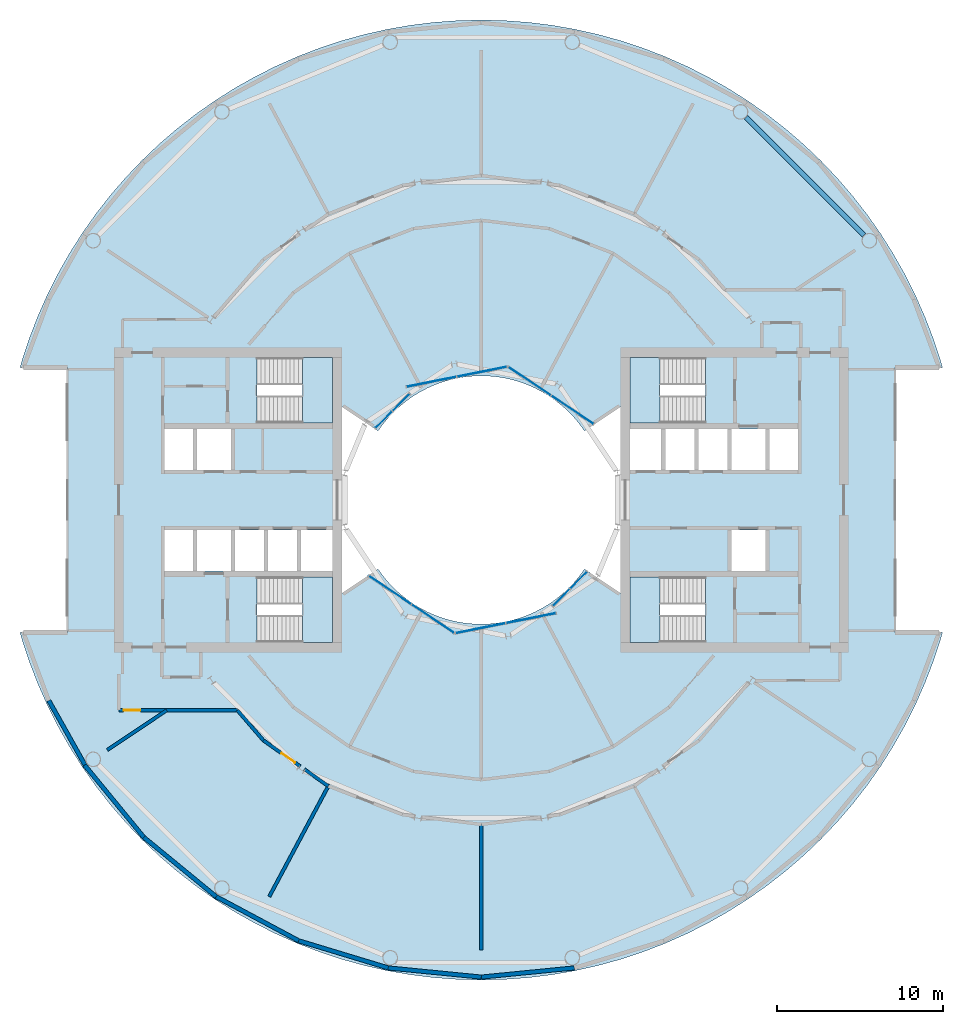
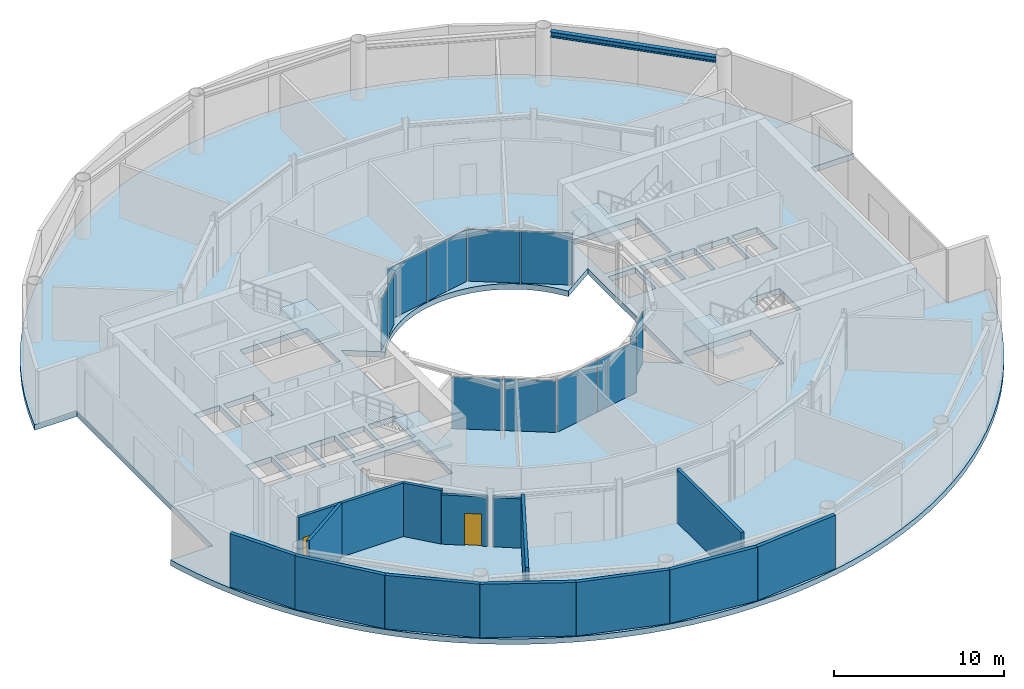
# One storey, part 10 of 18: 14 walls, 12 plates, 5 slabs, 2 doors, 1 beam, 2 openings, 10 elements without a shape of their own.
"""IFC4 building model written with IfcOpenShell, lengths in metres."""

from ifc_helpers import new_model, si_unit, direction, frame, frame_2d, origin, origin_2d, place, context, subcontext, project, spatial, polyline, rectangle, i_section, outline, extrude, material, layer, layer_set, material_profile, profile_set, type_object, element, fill, aggregate, save


model = new_model("IFC4")

# Units and contexts
model_context = context("Model", 3, precision=1e-05, world=origin(), true_north=direction((0.0, 1.0)))
body_context = subcontext(model_context, "Body", "Model", "MODEL_VIEW")
ifc_project = project(units=[si_unit("LENGTHUNIT", "METRE"), si_unit("AREAUNIT", "SQUARE_METRE"), si_unit("VOLUMEUNIT", "CUBIC_METRE"), si_unit("PLANEANGLEUNIT", "RADIAN"), si_unit("MASSUNIT", "GRAM", prefix="KILO")], contexts=[model_context])

# Site, building, storey
site_placement = place(None, origin())
site = spatial("IfcSite", under=ifc_project, at=site_placement, CompositionType="ELEMENT")
building_placement = place(site_placement, origin())
building = spatial("IfcBuilding", under=site, at=building_placement, Name="Maasbend Ring Residences", CompositionType="ELEMENT")
storey_placement = place(building_placement, frame((0.0, 0.0, 103.25)))
storey = spatial("IfcBuildingStorey", under=building, at=storey_placement, Name="L29", CompositionType="ELEMENT", Elevation=103.25)

# Beam
ifc_material_1 = material(Name="Steel S355J2", Category="steel")
ifc_material_profile = material_profile(ifc_material_1, i_section(OverallWidth=0.300048828125, OverallDepth=0.39990234375, WebThickness=0.013427734375, FlangeThickness=0.02392578125, FilletRadius=0.027099609375, at=origin_2d()), Name="HEB 400")
ifc_profile_set = profile_set([ifc_material_profile], Name="Steel S355J2")
beam_type = type_object("IfcBeamType", Name="Spandrel ring beam HEB 400", PredefinedType="SPANDREL", material=ifc_profile_set)
beam_placement = place(storey_placement, frame((23.124267578125, 15.990234375, 3.64990234375), z_axis=(-0.707106781187, 0.707106781187, 0.0), x_axis=(-0.707106781187, -0.707106781187, 0.0)))
element("IfcBeam", 1, at=beam_placement, inside=storey, type_object=beam_type, Name="Spandrel ring beam", PredefinedType="SPANDREL", context=body_context, shape_type="SweptSolid", body=[
    extrude(i_section(OverallWidth=0.300048828125, OverallDepth=0.39990234375, WebThickness=0.013427734375, FlangeThickness=0.02392578125, FilletRadius=0.027099609375, at=origin_2d()), origin(), (0.0, 0.0, 1.0), 10.089111328125),
])

# Stair, slab
ifc_material_2 = material(Name="Concrete C40/50", Category="concrete")
stair_type = type_object("IfcStairType", Name="CORE STAIR 24 RISERS", PredefinedType="HALF_TURN_STAIR", material=ifc_material_2)
stair_1_placement = place(storey_placement, origin())
stair_1 = element("IfcStair", 2, at=stair_1_placement, inside=storey, type_object=stair_type, Name="L29 Exit stair ST-E1", PredefinedType="HALF_TURN_STAIR")
ifc_material_3 = material(Name="Concrete C40/50", Category="concrete")
ifc_layer_1 = layer(ifc_material_3, 0.199951171875)
ifc_layer_set_1 = layer_set([ifc_layer_1], Name="Concrete C40/50")
slab_type_1 = type_object("IfcSlabType", Name="CORE STAIR LANDING 200", PredefinedType="LANDING", material=ifc_layer_set_1)
slab_1_placement = place(storey_placement, frame((0.0, 0.0, 1.89990234375)))
slab_1 = element("IfcSlab", 3, at=slab_1_placement, type_object=slab_type_1, Name="ST-E1 landing 1", PredefinedType="LANDING", context=body_context, shape_type="SweptSolid", body=[
    extrude(outline(polyline([(10.800048828125, 8.60009765625), (9.0, 8.60009765625), (9.0, 4.64990234375), (10.800048828125, 4.64990234375), (10.800048828125, 8.60009765625)])), origin(), (0.0, 0.0, 1.0), 0.2001953125),
])
aggregate(stair_1, [slab_1])

stair_2_placement = place(storey_placement, origin())
stair_2 = element("IfcStair", 4, at=stair_2_placement, inside=storey, type_object=stair_type, Name="L29 Exit stair ST-E2", PredefinedType="HALF_TURN_STAIR")
slab_2_placement = place(storey_placement, frame((0.0, 0.0, 1.89990234375)))
slab_2 = element("IfcSlab", 5, at=slab_2_placement, type_object=slab_type_1, Name="ST-E2 landing 1", PredefinedType="LANDING", context=body_context, shape_type="SweptSolid", body=[
    extrude(outline(polyline([(10.800048828125, -4.64990234375), (9.0, -4.64990234375), (9.0, -8.60009765625), (10.800048828125, -8.60009765625), (10.800048828125, -4.64990234375)])), origin(), (0.0, 0.0, 1.0), 0.2001953125),
])
aggregate(stair_2, [slab_2])

stair_3_placement = place(storey_placement, origin())
stair_3 = element("IfcStair", 6, at=stair_3_placement, inside=storey, type_object=stair_type, Name="L29 Exit stair ST-W1", PredefinedType="HALF_TURN_STAIR")
slab_3_placement = place(storey_placement, frame((0.0, 0.0, 1.89990234375)))
slab_3 = element("IfcSlab", 7, at=slab_3_placement, type_object=slab_type_1, Name="ST-W1 landing 1", PredefinedType="LANDING", context=body_context, shape_type="SweptSolid", body=[
    extrude(outline(polyline([(-10.800048828125, -8.60009765625), (-9.0, -8.60009765625), (-9.0, -4.64990234375), (-10.800048828125, -4.64990234375), (-10.800048828125, -8.60009765625)])), origin(), (0.0, 0.0, 1.0), 0.2001953125),
])
aggregate(stair_3, [slab_3])

stair_4_placement = place(storey_placement, origin())
stair_4 = element("IfcStair", 8, at=stair_4_placement, inside=storey, type_object=stair_type, Name="L29 Exit stair ST-W2", PredefinedType="HALF_TURN_STAIR")
slab_4_placement = place(storey_placement, frame((0.0, 0.0, 1.89990234375)))
slab_4 = element("IfcSlab", 9, at=slab_4_placement, type_object=slab_type_1, Name="ST-W2 landing 1", PredefinedType="LANDING", context=body_context, shape_type="SweptSolid", body=[
    extrude(outline(polyline([(-10.800048828125, 4.64990234375), (-9.0, 4.64990234375), (-9.0, 8.60009765625), (-10.800048828125, 8.60009765625), (-10.800048828125, 4.64990234375)])), origin(), (0.0, 0.0, 1.0), 0.2001953125),
])
aggregate(stair_4, [slab_4])

# Curtain wall, plates
ifc_material_4 = material(Name="Aluminium and clear glass", Category="aluminium")
ifc_layer_2 = layer(ifc_material_4, 0.179931640625)
ifc_layer_set_2 = layer_set([ifc_layer_2], Name="CW-W")
curtain_wall_type = type_object("IfcCurtainWallType", Name="CW-W", PredefinedType="NOTDEFINED", material=ifc_layer_set_2)
curtain_wall_1_placement = place(storey_placement, origin())
curtain_wall_1 = element("IfcCurtainWall", 10, at=curtain_wall_1_placement, inside=storey, type_object=curtain_wall_type, Name="Well curtain wall N1", PredefinedType="NOTDEFINED")
ifc_material_5 = material(Name="Glass clear laminated", Category="glass")
ifc_layer_3 = layer(ifc_material_5, 0.031982421875)
ifc_layer_set_3 = layer_set([ifc_layer_3], Name="CWP-W")
plate_type = type_object("IfcPlateType", Name="CWP-W", PredefinedType="CURTAIN_PANEL", material=ifc_layer_set_3)
plate_1_placement = place(storey_placement, frame((5.51123046875, 5.44580078125, 0.0), z_axis=(0.0, 0.0, 1.0), x_axis=(-0.831469612303, 0.55557023302, 0.0)))
plate_1 = element("IfcPlate", 11, at=plate_1_placement, type_object=plate_type, Name="Glass panel well face", PredefinedType="CURTAIN_PANEL", context=body_context, shape_type="SweptSolid", body=[
    extrude(rectangle(XDim=3.053955078125, YDim=0.031982421875, at=origin_2d()), origin(), (0.0, 0.0, 1.0), 3.72998046875),
])
plate_2_placement = place(storey_placement, frame((2.922119140625, 7.17578125, 0.0), z_axis=(0.0, 0.0, 1.0), x_axis=(-0.831469612303, 0.55557023302, 0.0)))
plate_2 = element("IfcPlate", 12, at=plate_2_placement, type_object=plate_type, Name="Glass panel well face", PredefinedType="CURTAIN_PANEL", context=body_context, shape_type="SweptSolid", body=[
    extrude(rectangle(XDim=3.053955078125, YDim=0.031982421875, at=origin_2d()), origin(), (0.0, 0.0, 1.0), 3.72998046875),
])
aggregate(curtain_wall_1, [plate_1, plate_2])

curtain_wall_2_placement = place(storey_placement, origin())
curtain_wall_2 = element("IfcCurtainWall", 13, at=curtain_wall_2_placement, inside=storey, type_object=curtain_wall_type, Name="Well curtain wall N2", PredefinedType="NOTDEFINED")
plate_3_placement = place(storey_placement, frame((0.04638671875, 7.747802734375, 0.0), z_axis=(0.0, 0.0, 1.0), x_axis=(-0.980785280403, -0.195090322016, 0.0)))
plate_3 = element("IfcPlate", 14, at=plate_3_placement, type_object=plate_type, Name="Glass panel well face", PredefinedType="CURTAIN_PANEL", context=body_context, shape_type="SweptSolid", body=[
    extrude(rectangle(XDim=3.053955078125, YDim=0.031982421875, at=origin_2d()), origin(), (0.0, 0.0, 1.0), 3.72998046875),
])
plate_4_placement = place(storey_placement, frame((-3.0078125, 7.140380859375, 0.0), z_axis=(0.0, 0.0, 1.0), x_axis=(-0.980785280403, -0.195090322016, 0.0)))
plate_4 = element("IfcPlate", 15, at=plate_4_placement, type_object=plate_type, Name="Glass panel well face", PredefinedType="CURTAIN_PANEL", context=body_context, shape_type="SweptSolid", body=[
    extrude(rectangle(XDim=3.053955078125, YDim=0.031982421875, at=origin_2d()), origin(), (0.0, 0.0, 1.0), 3.72998046875),
])
aggregate(curtain_wall_2, [plate_3, plate_4])

curtain_wall_3_placement = place(storey_placement, origin())
curtain_wall_3 = element("IfcCurtainWall", 16, at=curtain_wall_3_placement, inside=storey, type_object=curtain_wall_type, Name="Well curtain wall N3", PredefinedType="NOTDEFINED")
plate_5_placement = place(storey_placement, frame((-4.84375, 5.89013671875, 0.0), z_axis=(0.0, 0.0, 1.0), x_axis=(-0.707106781187, -0.707106781187, 0.0)))
plate_5 = element("IfcPlate", 17, at=plate_5_placement, type_object=plate_type, Name="Glass panel well face", PredefinedType="CURTAIN_PANEL", context=body_context, shape_type="SweptSolid", body=[
    extrude(rectangle(XDim=1.419677734375, YDim=0.031982421875, at=origin_2d()), origin(), (0.0, 0.0, 1.0), 3.72998046875),
])
plate_6_placement = place(storey_placement, frame((-5.89013671875, 4.84375, 0.0), z_axis=(0.0, 0.0, 1.0), x_axis=(-0.707106781187, -0.707106781187, 0.0)))
plate_6 = element("IfcPlate", 18, at=plate_6_placement, type_object=plate_type, Name="Glass panel well face", PredefinedType="CURTAIN_PANEL", context=body_context, shape_type="SweptSolid", body=[
    extrude(rectangle(XDim=1.419677734375, YDim=0.031982421875, at=origin_2d()), origin(), (0.0, 0.0, 1.0), 3.72998046875),
])
aggregate(curtain_wall_3, [plate_5, plate_6])

curtain_wall_4_placement = place(storey_placement, origin())
curtain_wall_4 = element("IfcCurtainWall", 19, at=curtain_wall_4_placement, inside=storey, type_object=curtain_wall_type, Name="Well curtain wall S1", PredefinedType="NOTDEFINED")
plate_7_placement = place(storey_placement, frame((-5.51123046875, -5.44580078125, 0.0), z_axis=(0.0, 0.0, 1.0), x_axis=(0.831469612303, -0.55557023302, 0.0)))
plate_7 = element("IfcPlate", 20, at=plate_7_placement, type_object=plate_type, Name="Glass panel well face", PredefinedType="CURTAIN_PANEL", context=body_context, shape_type="SweptSolid", body=[
    extrude(rectangle(XDim=3.053955078125, YDim=0.031982421875, at=origin_2d()), origin(), (0.0, 0.0, 1.0), 3.72998046875),
])
plate_8_placement = place(storey_placement, frame((-2.922119140625, -7.17578125, 0.0), z_axis=(0.0, 0.0, 1.0), x_axis=(0.831469612303, -0.55557023302, 0.0)))
plate_8 = element("IfcPlate", 21, at=plate_8_placement, type_object=plate_type, Name="Glass panel well face", PredefinedType="CURTAIN_PANEL", context=body_context, shape_type="SweptSolid", body=[
    extrude(rectangle(XDim=3.053955078125, YDim=0.031982421875, at=origin_2d()), origin(), (0.0, 0.0, 1.0), 3.72998046875),
])
aggregate(curtain_wall_4, [plate_7, plate_8])

curtain_wall_5_placement = place(storey_placement, origin())
curtain_wall_5 = element("IfcCurtainWall", 22, at=curtain_wall_5_placement, inside=storey, type_object=curtain_wall_type, Name="Well curtain wall S2", PredefinedType="NOTDEFINED")
plate_9_placement = place(storey_placement, frame((-0.04638671875, -7.747802734375, 0.0), z_axis=(0.0, 0.0, 1.0), x_axis=(0.980785280403, 0.195090322016, 0.0)))
plate_9 = element("IfcPlate", 23, at=plate_9_placement, type_object=plate_type, Name="Glass panel well face", PredefinedType="CURTAIN_PANEL", context=body_context, shape_type="SweptSolid", body=[
    extrude(rectangle(XDim=3.053955078125, YDim=0.031982421875, at=origin_2d()), origin(), (0.0, 0.0, 1.0), 3.72998046875),
])
plate_10_placement = place(storey_placement, frame((3.0078125, -7.140380859375, 0.0), z_axis=(0.0, 0.0, 1.0), x_axis=(0.980785280403, 0.195090322016, 0.0)))
plate_10 = element("IfcPlate", 24, at=plate_10_placement, type_object=plate_type, Name="Glass panel well face", PredefinedType="CURTAIN_PANEL", context=body_context, shape_type="SweptSolid", body=[
    extrude(rectangle(XDim=3.053955078125, YDim=0.031982421875, at=origin_2d()), origin(), (0.0, 0.0, 1.0), 3.72998046875),
])
aggregate(curtain_wall_5, [plate_9, plate_10])

curtain_wall_6_placement = place(storey_placement, origin())
curtain_wall_6 = element("IfcCurtainWall", 25, at=curtain_wall_6_placement, inside=storey, type_object=curtain_wall_type, Name="Well curtain wall S3", PredefinedType="NOTDEFINED")
plate_11_placement = place(storey_placement, frame((4.84375, -5.89013671875, 0.0), z_axis=(0.0, 0.0, 1.0), x_axis=(0.707106781187, 0.707106781187, 0.0)))
plate_11 = element("IfcPlate", 26, at=plate_11_placement, type_object=plate_type, Name="Glass panel well face", PredefinedType="CURTAIN_PANEL", context=body_context, shape_type="SweptSolid", body=[
    extrude(rectangle(XDim=1.419677734375, YDim=0.031982421875, at=origin_2d()), origin(), (0.0, 0.0, 1.0), 3.72998046875),
])
plate_12_placement = place(storey_placement, frame((5.89013671875, -4.84375, 0.0), z_axis=(0.0, 0.0, 1.0), x_axis=(0.707106781187, 0.707106781187, 0.0)))
plate_12 = element("IfcPlate", 27, at=plate_12_placement, type_object=plate_type, Name="Glass panel well face", PredefinedType="CURTAIN_PANEL", context=body_context, shape_type="SweptSolid", body=[
    extrude(rectangle(XDim=1.419677734375, YDim=0.031982421875, at=origin_2d()), origin(), (0.0, 0.0, 1.0), 3.72998046875),
])
aggregate(curtain_wall_6, [plate_11, plate_12])

# Slab
ifc_material_6 = material(Name="Concrete C40/50", Category="concrete")
ifc_layer_4 = layer(ifc_material_6, 0.39990234375)
ifc_layer_set_4 = layer_set([ifc_layer_4], Name="Concrete C40/50")
slab_type_2 = type_object("IfcSlabType", Name="Post-tensioned flat plate 400", PredefinedType="FLOOR", material=ifc_layer_set_4)
slab_5_placement = place(storey_placement, frame((0.0, 0.0, -0.39990234375)))
element("IfcSlab", 28, at=slab_5_placement, inside=storey, type_object=slab_type_2, Name="Floor slab L29", PredefinedType="FLOOR", context=body_context, shape_type="SweptSolid", body=[
    extrude(outline(polyline([(26.2158203125, -12.399169921875), (26.79248046875, -11.097900390625), (27.3046875, -9.769775390625), (27.751220703125, -8.418212890625), (27.866943359375, -8.0), (25.0, -8.0), (25.0, 8.0), (27.866943359375, 8.0), (27.751220703125, 8.418212890625), (27.3046875, 9.769775390625), (26.79248046875, 11.097900390625), (26.2158203125, 12.399169921875), (25.57568359375, 13.67041015625), (24.8740234375, 14.908935546875), (24.112548828125, 16.111572265625), (23.29296875, 17.275390625), (22.417236328125, 18.3974609375), (21.487548828125, 19.47509765625), (20.506103515625, 20.506103515625), (19.47509765625, 21.487548828125), (18.3974609375, 22.417236328125), (17.275390625, 23.29296875), (16.111572265625, 24.112548828125), (14.908935546875, 24.8740234375), (13.67041015625, 25.57568359375), (12.399169921875, 26.2158203125), (11.097900390625, 26.79248046875), (9.769775390625, 27.3046875), (8.418212890625, 27.751220703125), (7.04638671875, 28.130859375), (5.65771484375, 28.44287109375), (4.255126953125, 28.68603515625), (2.842529296875, 28.8603515625), (1.423095703125, 28.965087890625), (0.0, 29.0), (-1.423095703125, 28.965087890625), (-2.842529296875, 28.8603515625), (-4.255126953125, 28.68603515625), (-5.65771484375, 28.44287109375), (-7.04638671875, 28.130859375), (-8.418212890625, 27.751220703125), (-9.769775390625, 27.3046875), (-11.097900390625, 26.79248046875), (-12.399169921875, 26.2158203125), (-13.67041015625, 25.57568359375), (-14.908935546875, 24.8740234375), (-16.111572265625, 24.112548828125), (-17.275390625, 23.29296875), (-18.3974609375, 22.417236328125), (-19.47509765625, 21.487548828125), (-20.506103515625, 20.506103515625), (-21.487548828125, 19.47509765625), (-22.417236328125, 18.3974609375), (-23.29296875, 17.275390625), (-24.112548828125, 16.111572265625), (-24.8740234375, 14.908935546875), (-25.57568359375, 13.67041015625), (-26.2158203125, 12.399169921875), (-26.79248046875, 11.097900390625), (-27.3046875, 9.769775390625), (-27.751220703125, 8.418212890625), (-27.866943359375, 8.0), (-25.0, 8.0), (-25.0, -8.0), (-27.866943359375, -8.0), (-27.751220703125, -8.418212890625), (-27.3046875, -9.769775390625), (-26.79248046875, -11.097900390625), (-26.2158203125, -12.399169921875), (-25.57568359375, -13.67041015625), (-24.8740234375, -14.908935546875), (-24.112548828125, -16.111572265625), (-23.29296875, -17.275390625), (-22.417236328125, -18.3974609375), (-21.487548828125, -19.47509765625), (-20.506103515625, -20.506103515625), (-19.47509765625, -21.487548828125), (-18.3974609375, -22.417236328125), (-17.275390625, -23.29296875), (-16.111572265625, -24.112548828125), (-14.908935546875, -24.8740234375), (-13.67041015625, -25.57568359375), (-12.399169921875, -26.2158203125), (-11.097900390625, -26.79248046875), (-9.769775390625, -27.3046875), (-8.418212890625, -27.751220703125), (-7.04638671875, -28.130859375), (-5.65771484375, -28.44287109375), (-4.255126953125, -28.68603515625), (-2.842529296875, -28.8603515625), (-1.423095703125, -28.965087890625), (0.0, -29.0), (1.423095703125, -28.965087890625), (2.842529296875, -28.8603515625), (4.255126953125, -28.68603515625), (5.65771484375, -28.44287109375), (7.04638671875, -28.130859375), (8.418212890625, -27.751220703125), (9.769775390625, -27.3046875), (11.097900390625, -26.79248046875), (12.399169921875, -26.2158203125), (13.67041015625, -25.57568359375), (14.908935546875, -24.8740234375), (16.111572265625, -24.112548828125), (17.275390625, -23.29296875), (18.3974609375, -22.417236328125), (19.47509765625, -21.487548828125), (20.506103515625, -20.506103515625), (21.487548828125, -19.47509765625), (22.417236328125, -18.3974609375), (23.29296875, -17.275390625), (24.112548828125, -16.111572265625), (24.8740234375, -14.908935546875), (25.57568359375, -13.67041015625), (26.2158203125, -12.399169921875)]), holes=[polyline([(17.425048828125, 4.27490234375), (19.14990234375, 4.27490234375), (19.14990234375, 1.824951171875), (17.425048828125, 1.824951171875), (17.425048828125, 4.27490234375)]), polyline([(15.125, 1.824951171875), (15.125, 4.27490234375), (17.175048828125, 4.27490234375), (17.175048828125, 1.824951171875), (15.125, 1.824951171875)]), polyline([(15.125, -4.27490234375), (15.125, -1.824951171875), (17.175048828125, -1.824951171875), (17.175048828125, -4.27490234375), (15.125, -4.27490234375)]), polyline([(13.125, 1.824951171875), (13.125, 4.27490234375), (14.875, 4.27490234375), (14.875, 1.824951171875), (13.125, 1.824951171875)]), polyline([(13.550048828125, 4.64990234375), (9.0, 4.64990234375), (9.0, 8.60009765625), (13.550048828125, 8.60009765625), (13.550048828125, 4.64990234375)]), polyline([(13.550048828125, -4.64990234375), (13.550048828125, -8.60009765625), (9.0, -8.60009765625), (9.0, -4.64990234375), (13.550048828125, -4.64990234375)]), polyline([(11.125, 1.824951171875), (11.125, 4.27490234375), (12.875, 4.27490234375), (12.875, 1.824951171875), (11.125, 1.824951171875)]), polyline([(9.0, 1.824951171875), (9.0, 4.27490234375), (10.875, 4.27490234375), (10.875, 1.824951171875), (9.0, 1.824951171875)]), polyline([(6.024169921875, 4.4677734375), (6.236083984375, 4.166748046875), (8.39990234375, 5.61279296875), (8.39990234375, -5.61279296875), (6.236083984375, -4.166748046875), (6.024169921875, -4.4677734375), (5.797607421875, -4.7578125), (5.55712890625, -5.03662109375), (5.30322265625, -5.30322265625), (5.03662109375, -5.55712890625), (4.7578125, -5.797607421875), (4.4677734375, -6.024169921875), (4.166748046875, -6.236083984375), (3.855712890625, -6.43310546875), (3.535400390625, -6.614501953125), (3.206787109375, -6.77978515625), (2.8701171875, -6.92919921875), (2.526611328125, -7.0615234375), (2.177001953125, -7.177001953125), (1.822509765625, -7.275146484375), (1.463134765625, -7.35595703125), (1.1005859375, -7.418701171875), (0.735107421875, -7.4638671875), (0.367919921875, -7.490966796875), (0.0, -7.5), (-0.367919921875, -7.490966796875), (-0.735107421875, -7.4638671875), (-1.1005859375, -7.418701171875), (-1.463134765625, -7.35595703125), (-1.822509765625, -7.275146484375), (-2.177001953125, -7.177001953125), (-2.526611328125, -7.0615234375), (-2.8701171875, -6.92919921875), (-3.206787109375, -6.77978515625), (-3.535400390625, -6.614501953125), (-3.855712890625, -6.43310546875), (-4.166748046875, -6.236083984375), (-4.4677734375, -6.024169921875), (-4.7578125, -5.797607421875), (-5.03662109375, -5.55712890625), (-5.30322265625, -5.30322265625), (-5.55712890625, -5.03662109375), (-5.797607421875, -4.7578125), (-6.024169921875, -4.4677734375), (-6.236083984375, -4.166748046875), (-8.39990234375, -5.61279296875), (-8.39990234375, 5.61279296875), (-6.236083984375, 4.166748046875), (-6.236083984375, 4.166748046875), (-6.024169921875, 4.4677734375), (-5.797607421875, 4.7578125), (-5.55712890625, 5.03662109375), (-5.30322265625, 5.30322265625), (-5.03662109375, 5.55712890625), (-4.7578125, 5.797607421875), (-4.4677734375, 6.024169921875), (-4.166748046875, 6.236083984375), (-3.855712890625, 6.43310546875), (-3.535400390625, 6.614501953125), (-3.206787109375, 6.77978515625), (-2.8701171875, 6.92919921875), (-2.526611328125, 7.0615234375), (-2.177001953125, 7.177001953125), (-1.822509765625, 7.275146484375), (-1.463134765625, 7.35595703125), (-1.1005859375, 7.418701171875), (-0.735107421875, 7.4638671875), (-0.367919921875, 7.490966796875), (0.0, 7.5), (0.367919921875, 7.490966796875), (0.735107421875, 7.4638671875), (1.1005859375, 7.418701171875), (1.463134765625, 7.35595703125), (1.822509765625, 7.275146484375), (2.177001953125, 7.177001953125), (2.526611328125, 7.0615234375), (2.8701171875, 6.92919921875), (3.206787109375, 6.77978515625), (3.535400390625, 6.614501953125), (3.855712890625, 6.43310546875), (4.166748046875, 6.236083984375), (4.4677734375, 6.024169921875), (4.7578125, 5.797607421875), (5.03662109375, 5.55712890625), (5.30322265625, 5.30322265625), (5.55712890625, 5.03662109375), (5.797607421875, 4.7578125), (6.024169921875, 4.4677734375)]), polyline([(-13.550048828125, 4.64990234375), (-13.550048828125, 8.60009765625), (-9.0, 8.60009765625), (-9.0, 4.64990234375), (-13.550048828125, 4.64990234375)]), polyline([(-13.550048828125, -8.60009765625), (-13.550048828125, -4.64990234375), (-9.0, -4.64990234375), (-9.0, -8.60009765625), (-13.550048828125, -8.60009765625)]), polyline([(-9.0, -1.824951171875), (-9.0, -4.27490234375), (-10.875, -4.27490234375), (-10.875, -1.824951171875), (-9.0, -1.824951171875)]), polyline([(-11.125, -1.824951171875), (-11.125, -4.27490234375), (-12.875, -4.27490234375), (-12.875, -1.824951171875), (-11.125, -1.824951171875)]), polyline([(-13.125, -1.824951171875), (-13.125, -4.27490234375), (-14.875, -4.27490234375), (-14.875, -1.824951171875), (-13.125, -1.824951171875)]), polyline([(-15.125, 4.27490234375), (-15.125, 1.824951171875), (-17.175048828125, 1.824951171875), (-17.175048828125, 4.27490234375), (-15.125, 4.27490234375)]), polyline([(-15.125, -1.824951171875), (-15.125, -4.27490234375), (-17.175048828125, -4.27490234375), (-17.175048828125, -1.824951171875), (-15.125, -1.824951171875)]), polyline([(-17.425048828125, -1.824951171875), (-17.425048828125, -4.27490234375), (-19.14990234375, -4.27490234375), (-19.14990234375, -1.824951171875), (-17.425048828125, -1.824951171875)]), polyline([(-17.425048828125, 4.27490234375), (-17.425048828125, 1.824951171875), (-19.14990234375, 1.824951171875), (-19.14990234375, 4.27490234375), (-17.425048828125, 4.27490234375)])]), origin(), (0.0, 0.0, 1.0), 0.39990234375),
])

# Wall
ifc_material_7 = material(Name="Concrete C30/37", Category="concrete")
ifc_layer_5 = layer(ifc_material_7, 0.199951171875)
ifc_layer_set_5 = layer_set([ifc_layer_5], Name="Concrete C30/37")
wall_type_1 = type_object("IfcWallType", Name="COMPARTMENT WALL 200 CONCRETE", PredefinedType="PARTITIONING", material=ifc_layer_set_5)
wall_1_placement = place(storey_placement, frame((-14.735107421875, -12.699951171875, 0.0), z_axis=(0.0, 0.0, 1.0), x_axis=(0.653051967032, -0.757313097969, 0.0)))
element("IfcWall", 29, at=wall_1_placement, inside=storey, type_object=wall_type_1, Name="U-L29-w004", PredefinedType="PARTITIONING", context=body_context, shape_type="SweptSolid", body=[
    extrude(rectangle(XDim=2.4072265625, YDim=0.199951171875, at=frame_2d((1.20361328125, 0.0))), origin(), (0.0, 0.0, 1.0), 3.85009765625),
])

# Wall, opening, door
wall_2_placement = place(storey_placement, frame((-13.1630859375, -14.52294921875, 0.0), z_axis=(0.0, 0.0, 1.0), x_axis=(0.817645456482, -0.575722074872, 0.0)))
wall_2 = element("IfcWall", 30, at=wall_2_placement, inside=storey, type_object=wall_type_1, Name="U-L29-w005", PredefinedType="PARTITIONING", context=body_context, shape_type="SweptSolid", body=[
    extrude(rectangle(XDim=2.7236328125, YDim=0.199951171875, at=frame_2d((1.36181640625, 0.0))), origin(), (0.0, 0.0, 1.0), 3.5400390625),
])
opening_1_placement = place(wall_2_placement, frame((1.35009765625, 0.0, 0.0)))
opening_1 = element("IfcOpeningElement", 31, at=opening_1_placement, cuts=wall_2, Name="Opening D-2911", PredefinedType="OPENING", context=body_context, shape_type="SweptSolid", body=[
    extrude(rectangle(XDim=1.0, YDim=2.300048828125, at=frame_2d((0.5, 1.14990234375))), frame((0.0, 0.10986328125, 0.0), z_axis=(0.0, -1.0, 0.0), x_axis=(1.0, 0.0, 0.0)), (0.0, 0.0, 1.0), 0.219970703125),
])
ifc_material_8 = material(Name="Steel, fire-rated, painted", Category="steel")
door_type = type_object("IfcDoorType", Name="PLANT DOOR 1000 X 2300 FIRE-RATED", OperationType="NOTDEFINED", PredefinedType="DOOR", material=ifc_material_8)
door_1_placement = place(opening_1_placement, origin())
door_1 = element("IfcDoor", 32, at=door_1_placement, inside=storey, type_object=door_type, Name="D-2911", OperationType="SINGLE_SWING_RIGHT", OverallHeight=2.300048828125, OverallWidth=1.0, PredefinedType="DOOR", context=body_context, shape_type="SweptSolid", body=[
    extrude(rectangle(XDim=1.0, YDim=2.300048828125, at=frame_2d((0.5, 1.14990234375))), frame((0.0, 0.02490234375, 0.0), z_axis=(0.0, -1.0, 0.0), x_axis=(1.0, 0.0, 0.0)), (0.0, 0.0, 1.0), 0.050048828125),
])
fill(opening_1, door_1)

# Wall
wall_3_placement = place(storey_placement, frame((-10.68505859375, -16.26806640625, 0.0), z_axis=(0.0, 0.0, 1.0), x_axis=(0.817743843048, -0.575582320052, 0.0)))
element("IfcWall", 33, at=wall_3_placement, inside=storey, type_object=wall_type_1, Name="U-L29-w006", PredefinedType="PARTITIONING", context=body_context, shape_type="SweptSolid", body=[
    extrude(rectangle(XDim=1.768310546875, YDim=0.199951171875, at=frame_2d((0.88427734375, 0.0))), origin(), (0.0, 0.0, 1.0), 3.5400390625),
])

# Wall, opening, door
wall_4_placement = place(storey_placement, frame((-21.89990234375, -12.699951171875, 0.0), z_axis=(0.0, 0.0, 1.0), x_axis=(1.0, 0.0, 0.0)))
wall_4 = element("IfcWall", 34, at=wall_4_placement, inside=storey, type_object=wall_type_1, Name="U-L29-w026", PredefinedType="PARTITIONING", context=body_context, shape_type="SweptSolid", body=[
    extrude(rectangle(XDim=7.164794921875, YDim=0.199951171875, at=frame_2d((3.58251953125, 0.0))), origin(), (0.0, 0.0, 1.0), 3.85009765625),
])
opening_2_placement = place(wall_4_placement, frame((0.300048828125, 0.0, 0.0)))
opening_2 = element("IfcOpeningElement", 35, at=opening_2_placement, cuts=wall_4, Name="Opening D-2919", PredefinedType="OPENING", context=body_context, shape_type="SweptSolid", body=[
    extrude(rectangle(XDim=1.0, YDim=2.300048828125, at=frame_2d((0.5, 1.14990234375))), frame((0.0, 0.10986328125, 0.0), z_axis=(0.0, -1.0, 0.0), x_axis=(1.0, 0.0, 0.0)), (0.0, 0.0, 1.0), 0.219970703125),
])
door_2_placement = place(opening_2_placement, origin())
door_2 = element("IfcDoor", 36, at=door_2_placement, inside=storey, type_object=door_type, Name="D-2919", OperationType="SINGLE_SWING_LEFT", OverallHeight=2.300048828125, OverallWidth=1.0, PredefinedType="DOOR", context=body_context, shape_type="SweptSolid", body=[
    extrude(rectangle(XDim=1.0, YDim=2.300048828125, at=frame_2d((0.5, 1.14990234375))), frame((0.0, 0.02490234375, 0.0), z_axis=(0.0, -1.0, 0.0), x_axis=(1.0, 0.0, 0.0)), (0.0, 0.0, 1.0), 0.050048828125),
])
fill(opening_2, door_2)

# Walls
wall_5_placement = place(storey_placement, frame((-22.592041015625, -15.10205078125, 0.0), z_axis=(0.0, 0.0, 1.0), x_axis=(0.831423131448, 0.555639790235, 0.0)))
element("IfcWall", 37, at=wall_5_placement, inside=storey, type_object=wall_type_1, Name="U-L29-w032", PredefinedType="PARTITIONING", context=body_context, shape_type="SweptSolid", body=[
    extrude(rectangle(XDim=4.315673828125, YDim=0.199951171875, at=frame_2d((2.15771484375, 0.0))), origin(), (0.0, 0.0, 1.0), 3.85009765625),
])
wall_6_placement = place(storey_placement, frame((-12.81005859375, -23.966064453125, 0.0), z_axis=(0.0, 0.0, 1.0), x_axis=(0.471439510802, 0.881898399848, 0.0)))
element("IfcWall", 38, at=wall_6_placement, inside=storey, type_object=wall_type_1, Name="U-L29-w034", PredefinedType="PARTITIONING", context=body_context, shape_type="SweptSolid", body=[
    extrude(rectangle(XDim=7.57470703125, YDim=0.199951171875, at=frame_2d((3.787353515625, 0.0))), origin(), (0.0, 0.0, 1.0), 3.85009765625),
])
wall_7_placement = place(storey_placement, frame((0.0, -27.175048828125, 0.0), z_axis=(0.0, 0.0, 1.0), x_axis=(0.0, 1.0, 0.0)))
element("IfcWall", 39, at=wall_7_placement, inside=storey, type_object=wall_type_1, Name="U-L29-w037", PredefinedType="PARTITIONING", context=body_context, shape_type="SweptSolid", body=[
    extrude(rectangle(XDim=7.574951171875, YDim=0.199951171875, at=frame_2d((3.78759765625, 0.0))), origin(), (0.0, 0.0, 1.0), 3.85009765625),
])
ifc_material_9 = material(Name="Louvred aluminium panel", Category="aluminium")
ifc_layer_6 = layer(ifc_material_9, 0.25)
ifc_layer_set_6 = layer_set([ifc_layer_6], Name="EW-LV")
wall_type_2 = type_object("IfcWallType", Name="EW-LV", PredefinedType="SOLIDWALL", material=ifc_layer_set_6)
for number, where, z_axis, x_axis, name in (
    (40, (-23.967041015625, -16.013916015625, 0.0), (0.0, 0.0, 1.0), (0.634403999748, -0.773001659186, 0.0), "External wall S01"),
    (41, (-20.382080078125, -20.382080078125, 0.0), (0.0, 0.0, 1.0), (0.773001659186, -0.634403999748, 0.0), "External wall S02"),
):
    element("IfcWall", number, at=place(storey_placement, frame(where, z_axis=z_axis, x_axis=x_axis)), inside=storey, type_object=wall_type_2, Name=name, PredefinedType="SOLIDWALL", context=body_context, shape_type="SweptSolid", body=[
        extrude(rectangle(XDim=5.65087890625, YDim=0.25, at=frame_2d((2.825439453125, 0.0))), origin(), (0.0, 0.0, 1.0), 3.85009765625),
    ])
wall_8_placement = place(storey_placement, frame((-16.013916015625, -23.967041015625, 0.0), z_axis=(0.0, 0.0, 1.0), x_axis=(0.881874058161, -0.471485042756, 0.0)))
element("IfcWall", 42, at=wall_8_placement, inside=storey, type_object=wall_type_2, Name="External wall S03", PredefinedType="SOLIDWALL", context=body_context, shape_type="SweptSolid", body=[
    extrude(rectangle(XDim=5.650390625, YDim=0.25, at=frame_2d((2.8251953125, 0.0))), origin(), (0.0, 0.0, 1.0), 3.85009765625),
])
wall_9_placement = place(storey_placement, frame((-11.031005859375, -26.631103515625, 0.0), z_axis=(0.0, 0.0, 1.0), x_axis=(0.956969521741, -0.29018844646, 0.0)))
element("IfcWall", 43, at=wall_9_placement, inside=storey, type_object=wall_type_2, Name="External wall S04", PredefinedType="SOLIDWALL", context=body_context, shape_type="SweptSolid", body=[
    extrude(rectangle(XDim=5.651123046875, YDim=0.25, at=frame_2d((2.82568359375, 0.0))), origin(), (0.0, 0.0, 1.0), 3.85009765625),
])
for number, where, z_axis, x_axis, name in (
    (44, (-5.623046875, -28.27099609375, 0.0), (0.0, 0.0, 1.0), (0.995182425127, -0.098040505497, 0.0), "External wall S05"),
    (45, (0.0, -28.824951171875, 0.0), (0.0, 0.0, 1.0), (0.995182425127, 0.098040505497, 0.0), "External wall S06"),
):
    element("IfcWall", number, at=place(storey_placement, frame(where, z_axis=z_axis, x_axis=x_axis)), inside=storey, type_object=wall_type_2, Name=name, PredefinedType="SOLIDWALL", context=body_context, shape_type="SweptSolid", body=[
        extrude(rectangle(XDim=5.650146484375, YDim=0.25, at=frame_2d((2.8251953125, 0.0))), origin(), (0.0, 0.0, 1.0), 3.85009765625),
    ])
wall_10_placement = place(storey_placement, frame((-26.126953125, -12.116943359375, 0.0), z_axis=(0.0, 0.0, 1.0), x_axis=(0.489696356642, -0.871893042919, 0.0)))
element("IfcWall", 46, at=wall_10_placement, inside=storey, type_object=wall_type_2, Name="Horn wall 3.2", PredefinedType="SOLIDWALL", context=body_context, shape_type="SweptSolid", body=[
    extrude(rectangle(XDim=4.45361328125, YDim=0.25, at=frame_2d((2.226806640625, 0.0))), origin(), (0.0, 0.0, 1.0), 3.85009765625),
])

save(model, "model.ifc")
